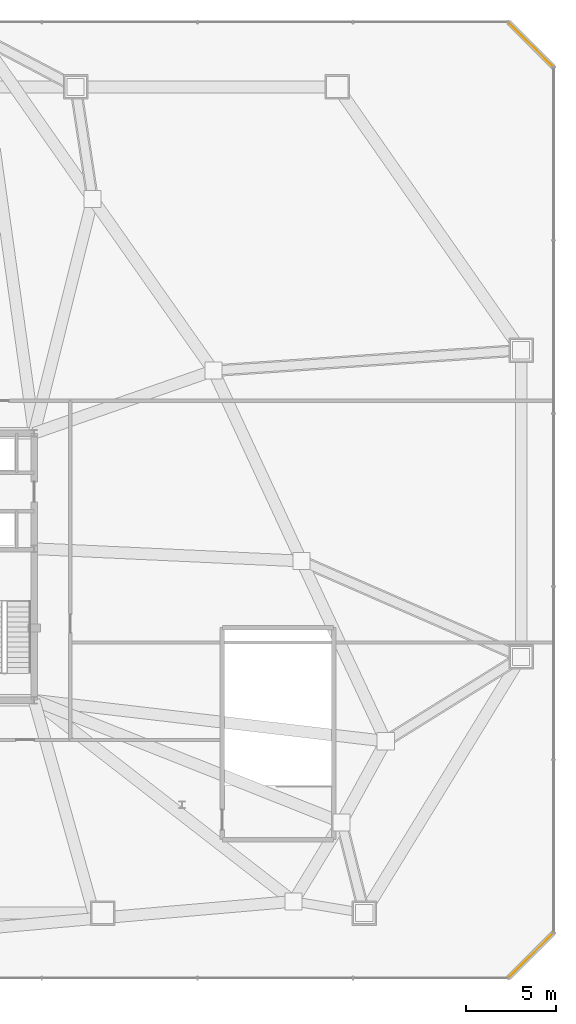
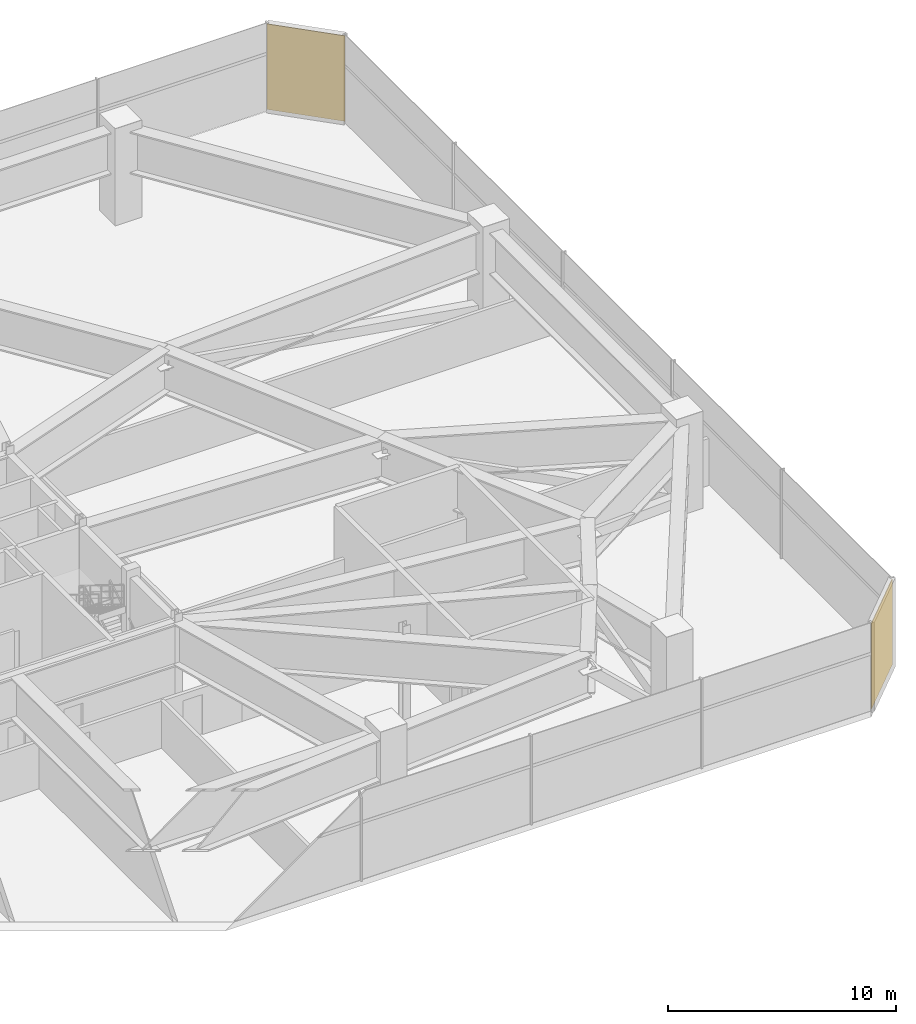
# One storey, part 29 of 29: 2 coverings.
"""IFC4 building model written with IfcOpenShell, lengths in metres."""

import ifcopenshell
import ifcopenshell.guid

model = None  # the IFC model being written
_history = None  # IfcOwnerHistory: only IFC2X3 demands one
_inside = {}  # id of a spatial element -> (the spatial element, [elements in it])
_under = {}  # id of a project, library or spatial element -> (it, [spatial elements below it])
_declared = {}  # id of a project -> (the project, [libraries it declares])
_typed = {}  # id of a type object -> (the type object, [elements of that type])
_made_of = {}  # id of a material, layer set ... -> (it, [elements and type objects made of it])


def new_model(schema):
    """Start an empty IFC model of exactly this schema.

    Asked for "IFC4X3", IfcOpenShell would pick the latest addendum, in which some entities
    have other attributes; the version numbers below select the first issue.
    IFC2X3 requires an IfcOwnerHistory on every rooted entity: one is made here for all.
    """
    global model, _history
    if schema == "IFC4X3":
        model = ifcopenshell.file(schema_version=(4, 3, 0, 0))
    else:
        model = ifcopenshell.file(schema=schema)
    _inside.clear()
    _under.clear()
    _declared.clear()
    _typed.clear()
    _made_of.clear()
    _history = None
    if model.schema == "IFC2X3":
        org = make("IfcOrganization", Name="unknown")
        user = make(
            "IfcPersonAndOrganization",
            ThePerson=make("IfcPerson", FamilyName="unknown"),
            TheOrganization=org,
        )
        app = make(
            "IfcApplication",
            ApplicationDeveloper=org,
            Version="unknown",
            ApplicationFullName="unknown",
            ApplicationIdentifier="unknown",
        )
        _history = make(
            "IfcOwnerHistory",
            OwningUser=user,
            OwningApplication=app,
            ChangeAction="ADDED",
            CreationDate=0,
        )
    return model


def make(cls, **values):
    """One entity of the class cls with the attributes given. An attribute that is None is left unset."""
    return model.create_entity(
        cls, **{name: value for name, value in values.items() if value is not None}
    )


def rooted(cls, **values):
    """An entity with a GlobalId (a new one), such as an element, a storey or a relation."""
    return make(cls, GlobalId=ifcopenshell.guid.new(), OwnerHistory=_history, **values)


def si_unit(unit_type, name, prefix=None):
    """IfcSIUnit, for example si_unit("LENGTHUNIT", "METRE", prefix="MILLI")."""
    return make("IfcSIUnit", UnitType=unit_type, Prefix=prefix, Name=name)


def assignment(units):
    """IfcUnitAssignment: the units of a project."""
    return None if units is None else make("IfcUnitAssignment", Units=units)


def point(xyz):
    """IfcCartesianPoint."""
    return None if xyz is None else make("IfcCartesianPoint", Coordinates=xyz)


def direction(xyz):
    """IfcDirection."""
    return None if xyz is None else make("IfcDirection", DirectionRatios=xyz)


def frame(location, z_axis=None, x_axis=None):
    """IfcAxis2Placement3D, a coordinate frame: its origin and axes. An axis left out is left unset."""
    return make(
        "IfcAxis2Placement3D",
        Location=point(location),
        Axis=direction(z_axis),
        RefDirection=direction(x_axis),
    )


def frame_2d(location, x_axis=None):
    """IfcAxis2Placement2D, a coordinate frame in the plane: its origin and x axis."""
    return make(
        "IfcAxis2Placement2D", Location=point(location), RefDirection=direction(x_axis)
    )


def origin():
    """The frame at (0, 0, 0) with its axes left unset."""
    return frame((0.0, 0.0, 0.0))


def place(relative_to, where):
    """IfcLocalPlacement: puts the frame where relative to a parent placement (None: the world)."""
    return make(
        "IfcLocalPlacement", PlacementRelTo=relative_to, RelativePlacement=where
    )


def context(
    kind, dimensions, precision=None, world=None, true_north=None, identifier=None
):
    """IfcGeometricRepresentationContext, for example the 3D "Model" context."""
    return make(
        "IfcGeometricRepresentationContext",
        ContextIdentifier=identifier,
        ContextType=kind,
        CoordinateSpaceDimension=dimensions,
        Precision=precision,
        WorldCoordinateSystem=world,
        TrueNorth=true_north,
    )


def subcontext(parent, identifier, kind, view, scale=None):
    """IfcGeometricRepresentationSubContext, for example "Body" below "Model"."""
    return make(
        "IfcGeometricRepresentationSubContext",
        ContextIdentifier=identifier,
        ContextType=kind,
        ParentContext=parent,
        TargetScale=scale,
        TargetView=view,
    )


def project(units=None, contexts=None):
    """IfcProject with its units and contexts."""
    return rooted(
        "IfcProject",
        Name="project",
        RepresentationContexts=contexts,
        UnitsInContext=assignment(units),
    )


def spatial(cls, under=None, at=None, **own):
    """A site, building, storey or space (cls), placed at a placement, below another one or the project."""
    s = rooted(cls, ObjectPlacement=at, **own)
    if under is not None:
        _under.setdefault(under.id(), (under, []))[1].append(s)
    return s


def profile(cls, at=None, kind="AREA", **sizes):
    """A parametric profile (cls). Its sizes go by their IFC names, for example OverallWidth=200.0."""
    return make(cls, ProfileType=kind, Position=at, **sizes)


def rectangle(**sizes):
    """IfcRectangleProfileDef."""
    return profile("IfcRectangleProfileDef", **sizes)


def extrude(swept, where, along, depth):
    """IfcExtrudedAreaSolid: the profile swept, set in the frame where, extruded along a direction by depth."""
    return make(
        "IfcExtrudedAreaSolid",
        SweptArea=swept,
        Position=where,
        ExtrudedDirection=direction(along),
        Depth=depth,
    )


def shape(context_of_items, identifier, shape_type, items):
    """IfcShapeRepresentation: the items that make up one representation, for example the "Body"."""
    return make(
        "IfcShapeRepresentation",
        ContextOfItems=context_of_items,
        RepresentationIdentifier=identifier,
        RepresentationType=shape_type,
        Items=items,
    )


def material(Name=None, Category=None):
    """IfcMaterial."""
    return make("IfcMaterial", Name=Name, Category=Category)


def layer(
    of_material, thickness, ventilated=None, Name=None, Category=None, Priority=None
):
    """IfcMaterialLayer: one layer of a wall or slab, of a material (None: an air gap)."""
    return make(
        "IfcMaterialLayer",
        Material=of_material,
        LayerThickness=thickness,
        IsVentilated=ventilated,
        Name=Name,
        Category=Category,
        Priority=Priority,
    )


def layer_set(layers, Name=None):
    """IfcMaterialLayerSet."""
    return make("IfcMaterialLayerSet", MaterialLayers=layers, LayerSetName=Name)


def made_of(thing, what):
    """Note that an element or type object is made of a material, layer set ...; save() writes the relation."""
    if what is not None:
        _made_of.setdefault(what.id(), (what, []))[1].append(thing)
    return thing


def type_object(cls, material=None, **own):
    """A type object (cls), such as IfcWallType, which elements share."""
    return made_of(rooted(cls, **own), material)


def element(
    cls,
    number,
    at=None,
    inside=None,
    cuts=None,
    type_object=None,
    material=None,
    context=None,
    identifier="Body",
    shape_type=None,
    held_by="IfcProductDefinitionShape",
    body=None,
    shapes=None,
    **own,
):
    """One element of the class cls, such as IfcWall. Its Tag is "e" and its number.

    at: its placement. inside: the storey or other place that contains it. cuts: it is an
    opening in that element (IfcRelVoidsElement). A single representation is given by context,
    identifier, shape_type and body (its items); several are given by shapes. held_by: the class
    of the entity that holds the representations. save() writes the other relations.
    """
    e = rooted(cls, Tag="e%d" % number, ObjectPlacement=at, **own)
    if body is not None:
        shapes = [shape(context, identifier, shape_type, body)]
    if shapes is not None:
        e.Representation = make(held_by, Representations=shapes)
    if inside is not None:
        _inside.setdefault(inside.id(), (inside, []))[1].append(e)
    if cuts is not None:
        rooted(
            "IfcRelVoidsElement", RelatingBuildingElement=cuts, RelatedOpeningElement=e
        )
    if type_object is not None:
        _typed.setdefault(type_object.id(), (type_object, []))[1].append(e)
    return made_of(e, material)


def aggregate(whole, parts):
    """IfcRelAggregates: a whole, such as a stair, and the parts it consists of."""
    return rooted("IfcRelAggregates", RelatingObject=whole, RelatedObjects=parts)


def save(model, path):
    """Write the relations noted so far, then the file.

    IfcRelAggregates (storeys below a building ...), IfcRelContainedInSpatialStructure (elements
    in a storey), IfcRelDefinesByType, IfcRelAssociatesMaterial and IfcRelDeclares: one each for
    every whole, place, type object, material and project.
    """
    for whole, parts in _under.values():
        aggregate(whole, parts)
    for where, things in _inside.values():
        rooted(
            "IfcRelContainedInSpatialStructure",
            RelatedElements=things,
            RelatingStructure=where,
        )
    for kind, things in _typed.values():
        rooted("IfcRelDefinesByType", RelatedObjects=things, RelatingType=kind)
    for what, things in _made_of.values():
        rooted("IfcRelAssociatesMaterial", RelatedObjects=things, RelatingMaterial=what)
    for by, libraries in _declared.values():
        rooted("IfcRelDeclares", RelatingContext=by, RelatedDefinitions=libraries)
    model.write(path)


model = new_model("IFC4")

# Units and contexts
model_context = context("Model", 3, precision=1e-05, world=origin(), true_north=direction((0.0, 1.0)))
body_context = subcontext(model_context, "Body", "Model", "MODEL_VIEW")
ifc_project = project(units=[si_unit("LENGTHUNIT", "METRE"), si_unit("AREAUNIT", "SQUARE_METRE"), si_unit("VOLUMEUNIT", "CUBIC_METRE"), si_unit("PLANEANGLEUNIT", "RADIAN"), si_unit("MASSUNIT", "GRAM", prefix="KILO")], contexts=[model_context])

# Site, building, storey
site_placement = place(None, origin())
site = spatial("IfcSite", under=ifc_project, at=site_placement, CompositionType="ELEMENT")
building_placement = place(site_placement, origin())
building = spatial("IfcBuilding", under=site, at=building_placement, Name="Varakhsha Concourse Tower", CompositionType="ELEMENT")
storey_placement = place(building_placement, frame((0.0, 0.0, 22.0)))
storey = spatial("IfcBuildingStorey", under=building, at=storey_placement, Name="L05", CompositionType="ELEMENT", Elevation=22.0)

# Coverings
ifc_material = material(Name="Samarkand Glazed Terracotta Rainscreen Tile 32 mm", Category="masonry")
ifc_layer = layer(ifc_material, 0.031982421875, Name="COV-RAINSCREEN-32")
ifc_layer_set = layer_set([ifc_layer], Name="Samarkand Glazed Terracotta Rainscreen Tile 32 mm")
covering_type = type_object("IfcCoveringType", Name="COV-RAINSCREEN-32", PredefinedType="CLADDING", material=ifc_layer_set)
for number, where, z_axis, x_axis, name in (
    (1, (74.5, 1.0, 0.10009765625), (0.0, 0.0, 1.0), (0.707106781187, 0.707106781187, 0.0), "L05 Terracotta Rainscreen Cladding 1"),
    (2, (77.0, 51.5, 0.10009765625), (0.0, 0.0, 1.0), (-0.707106781187, 0.707106781187, 0.0), "L05 Terracotta Rainscreen Cladding 3"),
):
    element("IfcCovering", number, at=place(storey_placement, frame(where, z_axis=z_axis, x_axis=x_axis)), inside=storey, type_object=covering_type, Name=name, PredefinedType="CLADDING", context=body_context, shape_type="SweptSolid", body=[
        extrude(rectangle(XDim=3.53564453125, YDim=0.031982421875, at=frame_2d((1.767822265625, 0.0))), origin(), (0.0, 0.0, 1.0), 4.579833984375),
    ])

save(model, "model.ifc")
